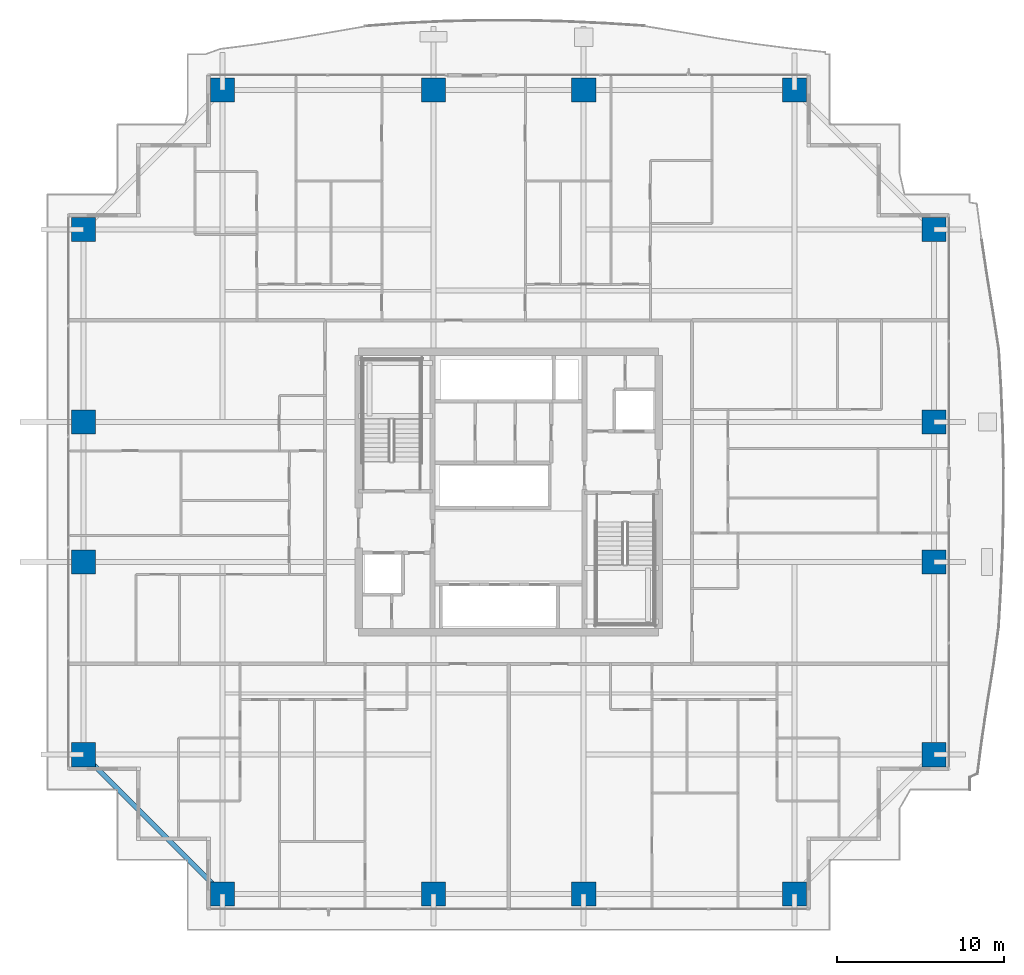
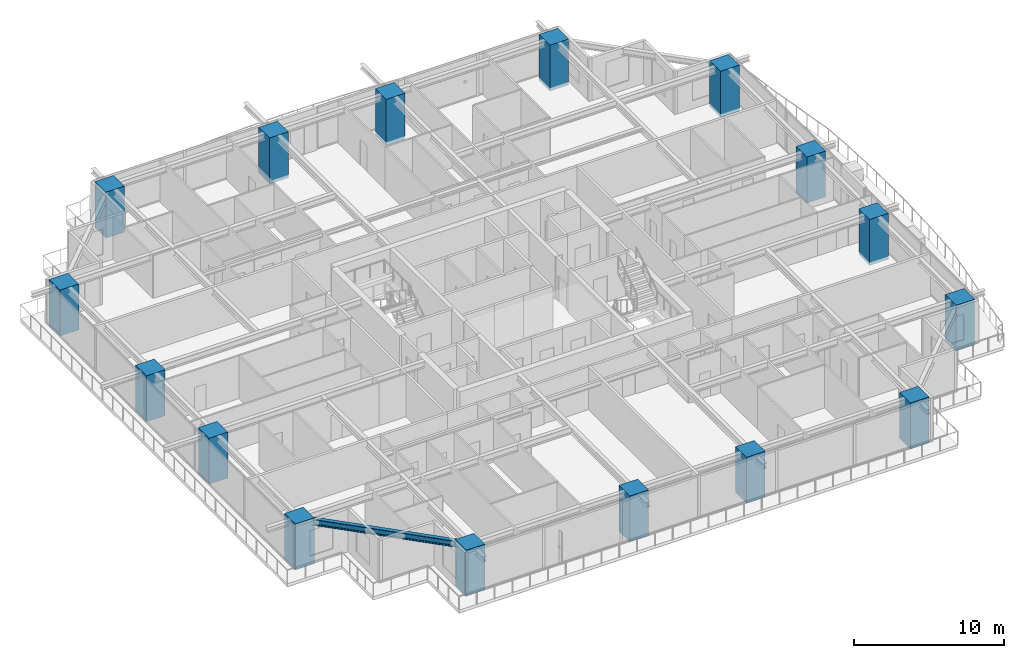
# One storey, part 1 of 39: 16 columns, 1 beam.
"""IFC4 building model written with IfcOpenShell, lengths in metres."""

from ifc_helpers import new_model, si_unit, direction, frame, origin, origin_2d, place, context, subcontext, project, spatial, rectangle, i_section, extrude, source, transform, mapped, material, material_profile, profile_set, type_object, element, save


model = new_model("IFC4")

# Units and contexts
model_context = context("Model", 3, precision=1e-05, world=origin(), true_north=direction((0.0, 1.0)))
body_context = subcontext(model_context, "Body", "Model", "MODEL_VIEW")
ifc_project = project(units=[si_unit("LENGTHUNIT", "METRE"), si_unit("AREAUNIT", "SQUARE_METRE"), si_unit("VOLUMEUNIT", "CUBIC_METRE"), si_unit("PLANEANGLEUNIT", "RADIAN"), si_unit("MASSUNIT", "GRAM", prefix="KILO")], contexts=[model_context])

# Site, building, storey
site_placement = place(None, origin())
site = spatial("IfcSite", under=ifc_project, at=site_placement, CompositionType="ELEMENT")
building_placement = place(site_placement, origin())
building = spatial("IfcBuilding", under=site, at=building_placement, Name="Serunith Strait Residences", CompositionType="ELEMENT")
storey_placement = place(building_placement, frame((0.0, 0.0, 97.949951171875)))
storey = spatial("IfcBuildingStorey", under=building, at=storey_placement, Name="L24", CompositionType="ELEMENT", Elevation=97.949951171875)

# Columns
ifc_material_1 = material(Name="Concrete C90/105", Category="concrete")
ifc_material_profile_1 = material_profile(ifc_material_1, rectangle(XDim=1.449951171875, YDim=1.449951171875, at=origin_2d()), Name="RC 1450x1450")
ifc_profile_set_1 = profile_set([ifc_material_profile_1], Name="Concrete C90/105")
column_type = type_object("IfcColumnType", Name="COL-RC-1450", PredefinedType="COLUMN", material=ifc_profile_set_1)
shared_shape_1 = source(origin(), body_context, "Body", "SweptSolid", [
    extrude(rectangle(XDim=1.449951171875, YDim=1.449951171875, at=origin_2d()), origin(), (0.0, 0.0, 1.0), 3.75),
])
for number, where, z_axis, x_axis, name in (
    (1, (15.25, 1.10009765625, -0.260009765625), (0.0, 0.0, 1.0), (1.0, 0.0, 0.0), "L24 Tower Mega-Column TC-S1"),
    (2, (27.89990234375, 1.10009765625, -0.260009765625), (0.0, 0.0, 1.0), (1.0, 0.0, 0.0), "L24 Tower Mega-Column TC-S2"),
    (3, (36.89990234375, 1.10009765625, -0.260009765625), (0.0, 0.0, 1.0), (1.0, 0.0, 0.0), "L24 Tower Mega-Column TC-S3"),
    (4, (49.550048828125, 1.10009765625, -0.260009765625), (0.0, 0.0, 1.0), (1.0, 0.0, 0.0), "L24 Tower Mega-Column TC-S4"),
    (5, (15.25, 49.300048828125, -0.260009765625), (0.0, 0.0, 1.0), (1.0, 0.0, 0.0), "L24 Tower Mega-Column TC-N1"),
    (6, (27.89990234375, 49.300048828125, -0.260009765625), (0.0, 0.0, 1.0), (1.0, 0.0, 0.0), "L24 Tower Mega-Column TC-N2"),
    (7, (36.89990234375, 49.300048828125, -0.260009765625), (0.0, 0.0, 1.0), (1.0, 0.0, 0.0), "L24 Tower Mega-Column TC-N3"),
    (8, (49.550048828125, 49.300048828125, -0.260009765625), (0.0, 0.0, 1.0), (1.0, 0.0, 0.0), "L24 Tower Mega-Column TC-N4"),
    (9, (57.89990234375, 9.449951171875, -0.260009765625), (0.0, 0.0, 1.0), (1.0, 0.0, 0.0), "L24 Tower Mega-Column TC-E1"),
    (10, (57.89990234375, 21.0, -0.260009765625), (0.0, 0.0, 1.0), (1.0, 0.0, 0.0), "L24 Tower Mega-Column TC-E2"),
    (11, (57.89990234375, 29.39990234375, -0.260009765625), (0.0, 0.0, 1.0), (1.0, 0.0, 0.0), "L24 Tower Mega-Column TC-E3"),
    (12, (57.89990234375, 40.949951171875, -0.260009765625), (0.0, 0.0, 1.0), (1.0, 0.0, 0.0), "L24 Tower Mega-Column TC-E4"),
    (13, (6.89990234375, 9.449951171875, -0.260009765625), (0.0, 0.0, 1.0), (1.0, 0.0, 0.0), "L24 Tower Mega-Column TC-W1"),
    (14, (6.89990234375, 21.0, -0.260009765625), (0.0, 0.0, 1.0), (1.0, 0.0, 0.0), "L24 Tower Mega-Column TC-W2"),
    (15, (6.89990234375, 29.39990234375, -0.260009765625), (0.0, 0.0, 1.0), (1.0, 0.0, 0.0), "L24 Tower Mega-Column TC-W3"),
    (16, (6.89990234375, 40.949951171875, -0.260009765625), (0.0, 0.0, 1.0), (1.0, 0.0, 0.0), "L24 Tower Mega-Column TC-W4"),
):
    element("IfcColumn", number, at=place(storey_placement, frame(where, z_axis=z_axis, x_axis=x_axis)), inside=storey, type_object=column_type, Name=name, PredefinedType="COLUMN", context=body_context, shape_type="MappedRepresentation", body=[
        mapped(shared_shape_1, transform((0.0, 0.0, 0.0), scale=1.0)),
    ])

# Beam
ifc_material_2 = material(Name="Steel S355J2", Category="steel")
ifc_material_profile_2 = material_profile(ifc_material_2, i_section(OverallWidth=0.300048828125, OverallDepth=0.5, WebThickness=0.014404296875, FlangeThickness=0.028076171875, FilletRadius=0.027099609375, at=origin_2d()), Name="HEB 500")
ifc_profile_set_2 = profile_set([ifc_material_profile_2], Name="Steel S355J2")
beam_type = type_object("IfcBeamType", Name="BM-HEB500", PredefinedType="BEAM", material=ifc_profile_set_2)
shared_shape_2 = source(origin(), body_context, "Body", "SweptSolid", [
    extrude(i_section(OverallWidth=0.300048828125, OverallDepth=0.5, WebThickness=0.014404296875, FlangeThickness=0.028076171875, FilletRadius=0.027099609375, at=origin_2d()), origin(), (0.0, 0.0, 1.0), 11.80859375),
])
beam_placement = place(storey_placement, frame((6.89990234375, 9.449951171875, 3.20703125), z_axis=(0.707117118476, -0.707096443746, 0.0), x_axis=(0.707096443746, 0.707117118476, 0.0)))
element("IfcBeam", 17, at=beam_placement, inside=storey, type_object=beam_type, Name="L24 Perimeter Ring Beam 16", PredefinedType="BEAM", context=body_context, shape_type="MappedRepresentation", body=[
    mapped(shared_shape_2, transform((0.0, 0.0, 0.0), scale=1.0)),
])

save(model, "model.ifc")
